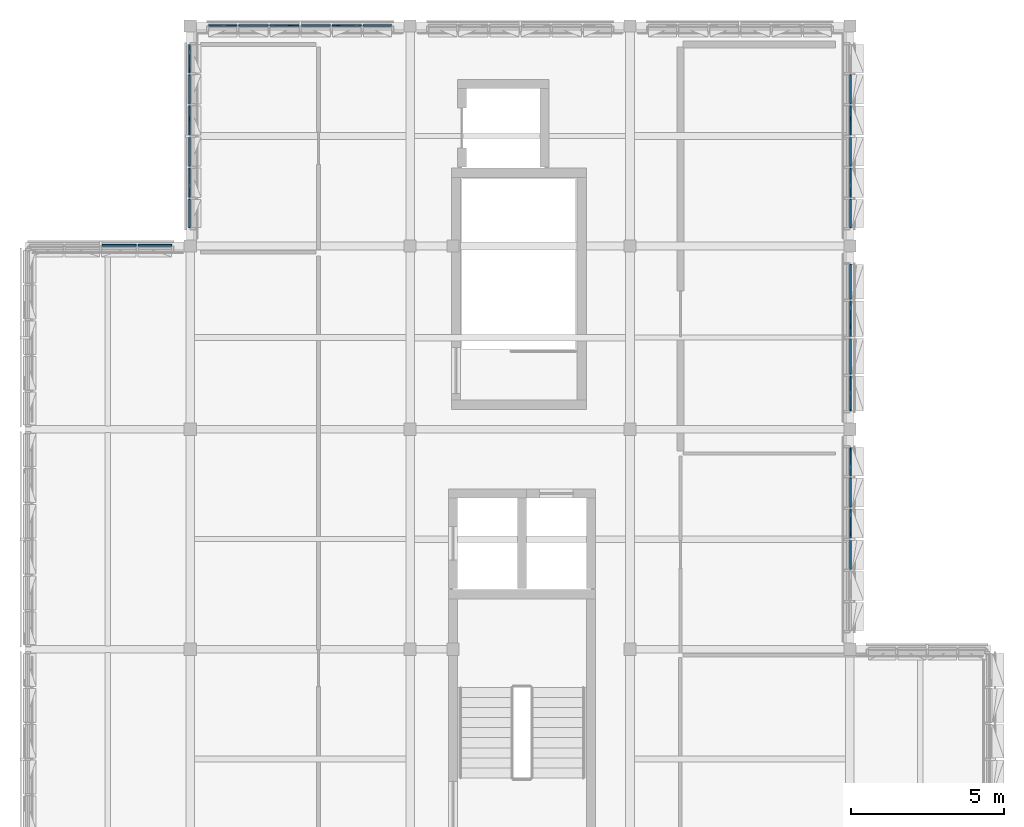
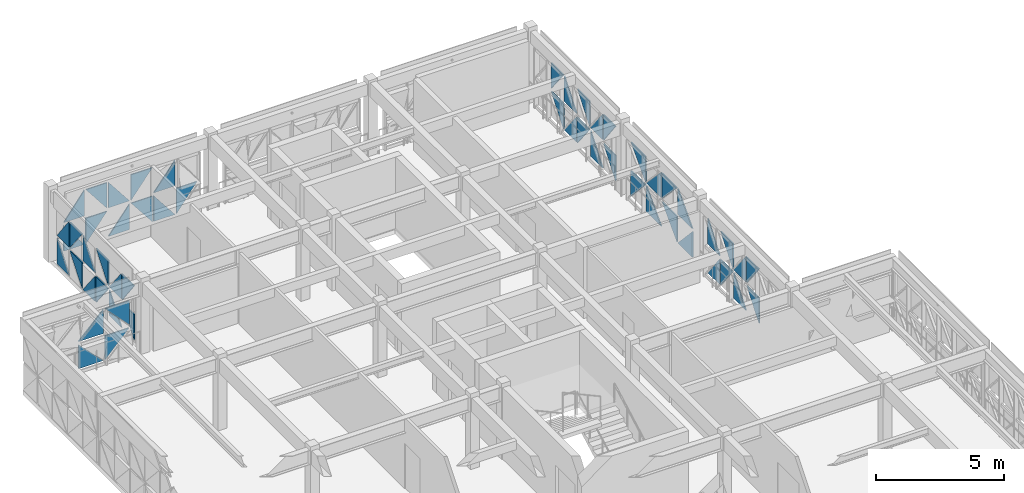
# One storey, part 14 of 25: 53 plates, 6 elements without a shape of their own.
"""IFC4 building model written with IfcOpenShell, lengths in metres."""

from ifc_helpers import new_model, si_unit, direction, frame, origin, place, context, subcontext, project, spatial, polyline, outline, extrude, material, layer, layer_set, type_object, element, aggregate, save


model = new_model("IFC4")

# Units and contexts
model_context = context("Model", 3, precision=1e-05, world=origin(), true_north=direction((0.0, 1.0)))
body_context = subcontext(model_context, "Body", "Model", "MODEL_VIEW")
ifc_project = project(units=[si_unit("LENGTHUNIT", "METRE"), si_unit("AREAUNIT", "SQUARE_METRE"), si_unit("VOLUMEUNIT", "CUBIC_METRE"), si_unit("PLANEANGLEUNIT", "RADIAN"), si_unit("MASSUNIT", "GRAM", prefix="KILO")], contexts=[model_context])

# Site, building, storey
site_placement = place(None, origin())
site = spatial("IfcSite", under=ifc_project, at=site_placement, CompositionType="ELEMENT")
building_placement = place(site_placement, origin())
building = spatial("IfcBuilding", under=site, at=building_placement, Name="Alvorim Cloister Faculty of Sciences", CompositionType="ELEMENT")
storey_placement = place(building_placement, frame((0.0, 0.0, 29.699951171875)))
storey = spatial("IfcBuildingStorey", under=building, at=storey_placement, Name="L08", CompositionType="ELEMENT", Elevation=29.699951171875)

# Curtain wall, plates
ifc_material_1 = material(Name="Aluminium and Low-E Glass Curtain Wall", Category="aluminium")
curtain_wall_type_1 = type_object("IfcCurtainWallType", Name="CW-TRI-4780x2716", PredefinedType="USERDEFINED", material=ifc_material_1)
curtain_wall_1_placement = place(storey_placement, origin())
curtain_wall_1 = element("IfcCurtainWall", 1, at=curtain_wall_1_placement, inside=storey, type_object=curtain_wall_type_1, Name="L08 Diagonal Cassette Curtain Wall CW-0285", ObjectType="UNITISED CURTAIN WALL", PredefinedType="USERDEFINED")
ifc_material_2 = material(Name="Double Low-E Laminated Glass", Category="glass")
ifc_layer = layer(ifc_material_2, 0.0400390625)
ifc_layer_set = layer_set([ifc_layer], Name="Double Low-E Laminated Glass")
plate_type = type_object("IfcPlateType", Name="PN-GLZ-40", PredefinedType="CURTAIN_PANEL", material=ifc_layer_set)
plate_1_placement = place(storey_placement, frame((4.302490234375, 49.22509765625, 0.14013671875), z_axis=(0.0, 0.0, 1.0), x_axis=(1.0, 0.0, 0.0)))
plate_1 = element("IfcPlate", 2, at=plate_1_placement, type_object=plate_type, Name="Diagonal Glazed Triangle TRI-BL", PredefinedType="CURTAIN_PANEL", context=body_context, shape_type="SweptSolid", body=[
    extrude(outline(polyline([(0.0, 0.0), (1.1279296875, 0.0), (0.0, 1.14599609375), (0.0, 0.0)])), frame((0.0, 0.02490234375, 0.0), z_axis=(0.0, -1.0, 0.0), x_axis=(1.0, 0.0, 0.0)), (0.0, 0.0, 1.0), 0.050048828125),
])
plate_2_placement = place(storey_placement, frame((4.302490234375, 49.22509765625, 1.427978515625), z_axis=(0.0, 0.0, 1.0), x_axis=(1.0, 0.0, 0.0)))
plate_2 = element("IfcPlate", 3, at=plate_2_placement, type_object=plate_type, Name="Diagonal Glazed Triangle TRI-BR", PredefinedType="CURTAIN_PANEL", context=body_context, shape_type="SweptSolid", body=[
    extrude(outline(polyline([(0.001953125, 0.0), (1.1298828125, 0.0), (1.1298828125, 1.14599609375), (0.001953125, 0.0)])), frame((0.0, 0.02490234375, 0.0), z_axis=(0.0, -1.0, 0.0), x_axis=(1.0, 0.0, 0.0)), (0.0, 0.0, 1.0), 0.050048828125),
])
plate_3_placement = place(storey_placement, frame((5.49755859375, 49.22509765625, 0.14013671875), z_axis=(0.0, 0.0, 1.0), x_axis=(1.0, 0.0, 0.0)))
plate_3 = element("IfcPlate", 4, at=plate_3_placement, type_object=plate_type, Name="Diagonal Glazed Triangle TRI-TL", PredefinedType="CURTAIN_PANEL", context=body_context, shape_type="SweptSolid", body=[
    extrude(outline(polyline([(1.095458984375, 1.14794921875), (0.0, 1.14794921875), (0.0, 0.001953125), (1.095458984375, 1.14794921875)])), frame((0.0, 0.02490234375, 0.0), z_axis=(0.0, -1.0, 0.0), x_axis=(1.0, 0.0, 0.0)), (0.0, 0.0, 1.0), 0.050048828125),
])
plate_4_placement = place(storey_placement, frame((5.49755859375, 49.22509765625, 1.427978515625), z_axis=(0.0, 0.0, 1.0), x_axis=(1.0, 0.0, 0.0)))
plate_4 = element("IfcPlate", 5, at=plate_4_placement, type_object=plate_type, Name="Diagonal Glazed Triangle TRI-TR", PredefinedType="CURTAIN_PANEL", context=body_context, shape_type="SweptSolid", body=[
    extrude(outline(polyline([(1.097412109375, 0.001953125), (1.097412109375, 1.14794921875), (0.001953125, 1.14794921875), (1.097412109375, 0.001953125)])), frame((0.0, 0.02490234375, 0.0), z_axis=(0.0, -1.0, 0.0), x_axis=(1.0, 0.0, 0.0)), (0.0, 0.0, 1.0), 0.050048828125),
])
aggregate(curtain_wall_1, [plate_1, plate_2, plate_3, plate_4])

curtain_wall_type_2 = type_object("IfcCurtainWallType", Name="CW-TRI-6120x2860", PredefinedType="USERDEFINED", material=ifc_material_1)
curtain_wall_2_placement = place(storey_placement, origin())
curtain_wall_2 = element("IfcCurtainWall", 6, at=curtain_wall_2_placement, inside=storey, type_object=curtain_wall_type_2, Name="L08 Diagonal Cassette Curtain Wall CW-0286", ObjectType="UNITISED CURTAIN WALL", PredefinedType="USERDEFINED")
plate_5_placement = place(storey_placement, frame((7.175048828125, 49.804931640625, 0.14013671875), z_axis=(0.0, 0.0, 1.0), x_axis=(0.0, 1.0, 0.0)))
plate_5 = element("IfcPlate", 7, at=plate_5_placement, type_object=plate_type, Name="Diagonal Glazed Triangle TRI-TL", PredefinedType="CURTAIN_PANEL", context=body_context, shape_type="SweptSolid", body=[
    extrude(outline(polyline([(0.920654296875, 1.219970703125), (0.0, 1.219970703125), (0.0, 0.001953125), (0.920654296875, 1.219970703125)])), frame((0.0, 0.02490234375, 0.0), z_axis=(0.0, -1.0, 0.0), x_axis=(1.0, 0.0, 0.0)), (0.0, 0.0, 1.0), 0.050048828125),
])
plate_6_placement = place(storey_placement, frame((7.175048828125, 49.804931640625, 1.5), z_axis=(0.0, 0.0, 1.0), x_axis=(0.0, 1.0, 0.0)))
plate_6 = element("IfcPlate", 8, at=plate_6_placement, type_object=plate_type, Name="Diagonal Glazed Triangle TRI-TR", PredefinedType="CURTAIN_PANEL", context=body_context, shape_type="SweptSolid", body=[
    extrude(outline(polyline([(0.922607421875, 0.001953125), (0.922607421875, 1.219970703125), (0.001953125, 1.219970703125), (0.922607421875, 0.001953125)])), frame((0.0, 0.02490234375, 0.0), z_axis=(0.0, -1.0, 0.0), x_axis=(1.0, 0.0, 0.0)), (0.0, 0.0, 1.0), 0.050048828125),
])
plate_7_placement = place(storey_placement, frame((7.175048828125, 50.79248046875, 0.14013671875), z_axis=(0.0, 0.0, 1.0), x_axis=(0.0, 1.0, 0.0)))
plate_7 = element("IfcPlate", 9, at=plate_7_placement, type_object=plate_type, Name="Diagonal Glazed Triangle TRI-BR", PredefinedType="CURTAIN_PANEL", context=body_context, shape_type="SweptSolid", body=[
    extrude(outline(polyline([(0.001953125, 0.0), (0.955078125, 0.0), (0.955078125, 1.218017578125), (0.001953125, 0.0)])), frame((0.0, 0.02490234375, 0.0), z_axis=(0.0, -1.0, 0.0), x_axis=(1.0, 0.0, 0.0)), (0.0, 0.0, 1.0), 0.050048828125),
])
plate_8_placement = place(storey_placement, frame((7.175048828125, 50.79248046875, 1.5), z_axis=(0.0, 0.0, 1.0), x_axis=(0.0, 1.0, 0.0)))
plate_8 = element("IfcPlate", 10, at=plate_8_placement, type_object=plate_type, Name="Diagonal Glazed Triangle TRI-BL", PredefinedType="CURTAIN_PANEL", context=body_context, shape_type="SweptSolid", body=[
    extrude(outline(polyline([(0.0, 0.0), (0.953125, 0.0), (0.0, 1.218017578125), (0.0, 0.0)])), frame((0.0, 0.02490234375, 0.0), z_axis=(0.0, -1.0, 0.0), x_axis=(1.0, 0.0, 0.0)), (0.0, 0.0, 1.0), 0.050048828125),
])
plate_9_placement = place(storey_placement, frame((7.175048828125, 51.8125, 0.14013671875), z_axis=(0.0, 0.0, 1.0), x_axis=(0.0, 1.0, 0.0)))
plate_9 = element("IfcPlate", 11, at=plate_9_placement, type_object=plate_type, Name="Diagonal Glazed Triangle TRI-TR", PredefinedType="CURTAIN_PANEL", context=body_context, shape_type="SweptSolid", body=[
    extrude(outline(polyline([(0.955078125, 0.001953125), (0.955078125, 1.219970703125), (0.001953125, 1.219970703125), (0.955078125, 0.001953125)])), frame((0.0, 0.02490234375, 0.0), z_axis=(0.0, -1.0, 0.0), x_axis=(1.0, 0.0, 0.0)), (0.0, 0.0, 1.0), 0.050048828125),
])
plate_10_placement = place(storey_placement, frame((7.175048828125, 51.8125, 1.5), z_axis=(0.0, 0.0, 1.0), x_axis=(0.0, 1.0, 0.0)))
plate_10 = element("IfcPlate", 12, at=plate_10_placement, type_object=plate_type, Name="Diagonal Glazed Triangle TRI-TL", PredefinedType="CURTAIN_PANEL", context=body_context, shape_type="SweptSolid", body=[
    extrude(outline(polyline([(0.953125, 1.219970703125), (0.0, 1.219970703125), (0.0, 0.001953125), (0.953125, 1.219970703125)])), frame((0.0, 0.02490234375, 0.0), z_axis=(0.0, -1.0, 0.0), x_axis=(1.0, 0.0, 0.0)), (0.0, 0.0, 1.0), 0.050048828125),
])
plate_11_placement = place(storey_placement, frame((7.175048828125, 52.83251953125, 0.14013671875), z_axis=(0.0, 0.0, 1.0), x_axis=(0.0, 1.0, 0.0)))
plate_11 = element("IfcPlate", 13, at=plate_11_placement, type_object=plate_type, Name="Diagonal Glazed Triangle TRI-BL", PredefinedType="CURTAIN_PANEL", context=body_context, shape_type="SweptSolid", body=[
    extrude(outline(polyline([(0.0, 0.0), (0.953125, 0.0), (0.0, 1.218017578125), (0.0, 0.0)])), frame((0.0, 0.02490234375, 0.0), z_axis=(0.0, -1.0, 0.0), x_axis=(1.0, 0.0, 0.0)), (0.0, 0.0, 1.0), 0.050048828125),
])
plate_12_placement = place(storey_placement, frame((7.175048828125, 52.83251953125, 1.5), z_axis=(0.0, 0.0, 1.0), x_axis=(0.0, 1.0, 0.0)))
plate_12 = element("IfcPlate", 14, at=plate_12_placement, type_object=plate_type, Name="Diagonal Glazed Triangle TRI-BR", PredefinedType="CURTAIN_PANEL", context=body_context, shape_type="SweptSolid", body=[
    extrude(outline(polyline([(0.001953125, 0.0), (0.955078125, 0.0), (0.955078125, 1.218017578125), (0.001953125, 0.0)])), frame((0.0, 0.02490234375, 0.0), z_axis=(0.0, -1.0, 0.0), x_axis=(1.0, 0.0, 0.0)), (0.0, 0.0, 1.0), 0.050048828125),
])
plate_13_placement = place(storey_placement, frame((7.175048828125, 53.8525390625, 0.14013671875), z_axis=(0.0, 0.0, 1.0), x_axis=(0.0, 1.0, 0.0)))
plate_13 = element("IfcPlate", 15, at=plate_13_placement, type_object=plate_type, Name="Diagonal Glazed Triangle TRI-TL", PredefinedType="CURTAIN_PANEL", context=body_context, shape_type="SweptSolid", body=[
    extrude(outline(polyline([(0.953125, 1.219970703125), (0.0, 1.219970703125), (0.0, 0.001953125), (0.953125, 1.219970703125)])), frame((0.0, 0.02490234375, 0.0), z_axis=(0.0, -1.0, 0.0), x_axis=(1.0, 0.0, 0.0)), (0.0, 0.0, 1.0), 0.050048828125),
])
plate_14_placement = place(storey_placement, frame((7.175048828125, 53.8525390625, 1.5), z_axis=(0.0, 0.0, 1.0), x_axis=(0.0, 1.0, 0.0)))
plate_14 = element("IfcPlate", 16, at=plate_14_placement, type_object=plate_type, Name="Diagonal Glazed Triangle TRI-TR", PredefinedType="CURTAIN_PANEL", context=body_context, shape_type="SweptSolid", body=[
    extrude(outline(polyline([(0.955078125, 0.001953125), (0.955078125, 1.219970703125), (0.001953125, 1.219970703125), (0.955078125, 0.001953125)])), frame((0.0, 0.02490234375, 0.0), z_axis=(0.0, -1.0, 0.0), x_axis=(1.0, 0.0, 0.0)), (0.0, 0.0, 1.0), 0.050048828125),
])
plate_15_placement = place(storey_placement, frame((7.175048828125, 54.87255859375, 0.14013671875), z_axis=(0.0, 0.0, 1.0), x_axis=(0.0, 1.0, 0.0)))
plate_15 = element("IfcPlate", 17, at=plate_15_placement, type_object=plate_type, Name="Diagonal Glazed Triangle TRI-BR", PredefinedType="CURTAIN_PANEL", context=body_context, shape_type="SweptSolid", body=[
    extrude(outline(polyline([(0.001953125, 0.0), (0.922607421875, 0.0), (0.922607421875, 1.218017578125), (0.001953125, 0.0)])), frame((0.0, 0.02490234375, 0.0), z_axis=(0.0, -1.0, 0.0), x_axis=(1.0, 0.0, 0.0)), (0.0, 0.0, 1.0), 0.050048828125),
])
plate_16_placement = place(storey_placement, frame((7.175048828125, 54.87255859375, 1.5), z_axis=(0.0, 0.0, 1.0), x_axis=(0.0, 1.0, 0.0)))
plate_16 = element("IfcPlate", 18, at=plate_16_placement, type_object=plate_type, Name="Diagonal Glazed Triangle TRI-BL", PredefinedType="CURTAIN_PANEL", context=body_context, shape_type="SweptSolid", body=[
    extrude(outline(polyline([(0.0, 0.0), (0.920654296875, 0.0), (0.0, 1.218017578125), (0.0, 0.0)])), frame((0.0, 0.02490234375, 0.0), z_axis=(0.0, -1.0, 0.0), x_axis=(1.0, 0.0, 0.0)), (0.0, 0.0, 1.0), 0.050048828125),
])
aggregate(curtain_wall_2, [plate_5, plate_6, plate_7, plate_8, plate_9, plate_10, plate_11, plate_12, plate_13, plate_14, plate_15, plate_16])

curtain_wall_3_placement = place(storey_placement, origin())
curtain_wall_3 = element("IfcCurtainWall", 19, at=curtain_wall_3_placement, inside=storey, type_object=curtain_wall_type_2, Name="L08 Diagonal Cassette Curtain Wall CW-0287", ObjectType="UNITISED CURTAIN WALL", PredefinedType="USERDEFINED")
plate_17_placement = place(storey_placement, frame((7.804931640625, 56.425048828125, 0.14013671875), z_axis=(0.0, 0.0, 1.0), x_axis=(1.0, 0.0, 0.0)))
plate_17 = element("IfcPlate", 20, at=plate_17_placement, type_object=plate_type, Name="Diagonal Glazed Triangle TRI-BL", PredefinedType="CURTAIN_PANEL", context=body_context, shape_type="SweptSolid", body=[
    extrude(outline(polyline([(0.0, 0.0), (0.920654296875, 0.0), (0.0, 1.218017578125), (0.0, 0.0)])), frame((0.0, 0.02490234375, 0.0), z_axis=(0.0, -1.0, 0.0), x_axis=(1.0, 0.0, 0.0)), (0.0, 0.0, 1.0), 0.050048828125),
])
plate_18_placement = place(storey_placement, frame((7.804931640625, 56.425048828125, 1.5), z_axis=(0.0, 0.0, 1.0), x_axis=(1.0, 0.0, 0.0)))
plate_18 = element("IfcPlate", 21, at=plate_18_placement, type_object=plate_type, Name="Diagonal Glazed Triangle TRI-BR", PredefinedType="CURTAIN_PANEL", context=body_context, shape_type="SweptSolid", body=[
    extrude(outline(polyline([(0.001953125, 0.0), (0.922607421875, 0.0), (0.922607421875, 1.218017578125), (0.001953125, 0.0)])), frame((0.0, 0.02490234375, 0.0), z_axis=(0.0, -1.0, 0.0), x_axis=(1.0, 0.0, 0.0)), (0.0, 0.0, 1.0), 0.050048828125),
])
plate_19_placement = place(storey_placement, frame((8.79248046875, 56.425048828125, 0.14013671875), z_axis=(0.0, 0.0, 1.0), x_axis=(1.0, 0.0, 0.0)))
plate_19 = element("IfcPlate", 22, at=plate_19_placement, type_object=plate_type, Name="Diagonal Glazed Triangle TRI-TL", PredefinedType="CURTAIN_PANEL", context=body_context, shape_type="SweptSolid", body=[
    extrude(outline(polyline([(0.953125, 1.219970703125), (0.0, 1.219970703125), (0.0, 0.001953125), (0.953125, 1.219970703125)])), frame((0.0, 0.02490234375, 0.0), z_axis=(0.0, -1.0, 0.0), x_axis=(1.0, 0.0, 0.0)), (0.0, 0.0, 1.0), 0.050048828125),
])
plate_20_placement = place(storey_placement, frame((8.79248046875, 56.425048828125, 1.5), z_axis=(0.0, 0.0, 1.0), x_axis=(1.0, 0.0, 0.0)))
plate_20 = element("IfcPlate", 23, at=plate_20_placement, type_object=plate_type, Name="Diagonal Glazed Triangle TRI-TR", PredefinedType="CURTAIN_PANEL", context=body_context, shape_type="SweptSolid", body=[
    extrude(outline(polyline([(0.955078125, 0.001953125), (0.955078125, 1.219970703125), (0.001953125, 1.219970703125), (0.955078125, 0.001953125)])), frame((0.0, 0.02490234375, 0.0), z_axis=(0.0, -1.0, 0.0), x_axis=(1.0, 0.0, 0.0)), (0.0, 0.0, 1.0), 0.050048828125),
])
plate_21_placement = place(storey_placement, frame((9.8125, 56.425048828125, 0.14013671875), z_axis=(0.0, 0.0, 1.0), x_axis=(1.0, 0.0, 0.0)))
plate_21 = element("IfcPlate", 24, at=plate_21_placement, type_object=plate_type, Name="Diagonal Glazed Triangle TRI-BR", PredefinedType="CURTAIN_PANEL", context=body_context, shape_type="SweptSolid", body=[
    extrude(outline(polyline([(0.001953125, 0.0), (0.955078125, 0.0), (0.955078125, 1.218017578125), (0.001953125, 0.0)])), frame((0.0, 0.02490234375, 0.0), z_axis=(0.0, -1.0, 0.0), x_axis=(1.0, 0.0, 0.0)), (0.0, 0.0, 1.0), 0.050048828125),
])
plate_22_placement = place(storey_placement, frame((9.8125, 56.425048828125, 1.5), z_axis=(0.0, 0.0, 1.0), x_axis=(1.0, 0.0, 0.0)))
plate_22 = element("IfcPlate", 25, at=plate_22_placement, type_object=plate_type, Name="Diagonal Glazed Triangle TRI-BL", PredefinedType="CURTAIN_PANEL", context=body_context, shape_type="SweptSolid", body=[
    extrude(outline(polyline([(0.0, 0.0), (0.953125, 0.0), (0.0, 1.218017578125), (0.0, 0.0)])), frame((0.0, 0.02490234375, 0.0), z_axis=(0.0, -1.0, 0.0), x_axis=(1.0, 0.0, 0.0)), (0.0, 0.0, 1.0), 0.050048828125),
])
plate_23_placement = place(storey_placement, frame((10.83251953125, 56.425048828125, 0.14013671875), z_axis=(0.0, 0.0, 1.0), x_axis=(1.0, 0.0, 0.0)))
plate_23 = element("IfcPlate", 26, at=plate_23_placement, type_object=plate_type, Name="Diagonal Glazed Triangle TRI-TR", PredefinedType="CURTAIN_PANEL", context=body_context, shape_type="SweptSolid", body=[
    extrude(outline(polyline([(0.955078125, 0.001953125), (0.955078125, 1.219970703125), (0.001953125, 1.219970703125), (0.955078125, 0.001953125)])), frame((0.0, 0.02490234375, 0.0), z_axis=(0.0, -1.0, 0.0), x_axis=(1.0, 0.0, 0.0)), (0.0, 0.0, 1.0), 0.050048828125),
])
plate_24_placement = place(storey_placement, frame((10.83251953125, 56.425048828125, 1.5), z_axis=(0.0, 0.0, 1.0), x_axis=(1.0, 0.0, 0.0)))
plate_24 = element("IfcPlate", 27, at=plate_24_placement, type_object=plate_type, Name="Diagonal Glazed Triangle TRI-TL", PredefinedType="CURTAIN_PANEL", context=body_context, shape_type="SweptSolid", body=[
    extrude(outline(polyline([(0.953125, 1.219970703125), (0.0, 1.219970703125), (0.0, 0.001953125), (0.953125, 1.219970703125)])), frame((0.0, 0.02490234375, 0.0), z_axis=(0.0, -1.0, 0.0), x_axis=(1.0, 0.0, 0.0)), (0.0, 0.0, 1.0), 0.050048828125),
])
plate_25_placement = place(storey_placement, frame((11.8525390625, 56.425048828125, 0.14013671875), z_axis=(0.0, 0.0, 1.0), x_axis=(1.0, 0.0, 0.0)))
plate_25 = element("IfcPlate", 28, at=plate_25_placement, type_object=plate_type, Name="Diagonal Glazed Triangle TRI-BL", PredefinedType="CURTAIN_PANEL", context=body_context, shape_type="SweptSolid", body=[
    extrude(outline(polyline([(0.0, 0.0), (0.953125, 0.0), (0.0, 1.218017578125), (0.0, 0.0)])), frame((0.0, 0.02490234375, 0.0), z_axis=(0.0, -1.0, 0.0), x_axis=(1.0, 0.0, 0.0)), (0.0, 0.0, 1.0), 0.050048828125),
])
plate_26_placement = place(storey_placement, frame((11.8525390625, 56.425048828125, 1.5), z_axis=(0.0, 0.0, 1.0), x_axis=(1.0, 0.0, 0.0)))
plate_26 = element("IfcPlate", 29, at=plate_26_placement, type_object=plate_type, Name="Diagonal Glazed Triangle TRI-BR", PredefinedType="CURTAIN_PANEL", context=body_context, shape_type="SweptSolid", body=[
    extrude(outline(polyline([(0.001953125, 0.0), (0.955078125, 0.0), (0.955078125, 1.218017578125), (0.001953125, 0.0)])), frame((0.0, 0.02490234375, 0.0), z_axis=(0.0, -1.0, 0.0), x_axis=(1.0, 0.0, 0.0)), (0.0, 0.0, 1.0), 0.050048828125),
])
plate_27_placement = place(storey_placement, frame((12.87255859375, 56.425048828125, 0.14013671875), z_axis=(0.0, 0.0, 1.0), x_axis=(1.0, 0.0, 0.0)))
plate_27 = element("IfcPlate", 30, at=plate_27_placement, type_object=plate_type, Name="Diagonal Glazed Triangle TRI-TL", PredefinedType="CURTAIN_PANEL", context=body_context, shape_type="SweptSolid", body=[
    extrude(outline(polyline([(0.920654296875, 1.219970703125), (0.0, 1.219970703125), (0.0, 0.001953125), (0.920654296875, 1.219970703125)])), frame((0.0, 0.02490234375, 0.0), z_axis=(0.0, -1.0, 0.0), x_axis=(1.0, 0.0, 0.0)), (0.0, 0.0, 1.0), 0.050048828125),
])
aggregate(curtain_wall_3, [plate_17, plate_18, plate_19, plate_20, plate_21, plate_22, plate_23, plate_24, plate_25, plate_26, plate_27])

curtain_wall_4_placement = place(storey_placement, origin())
curtain_wall_4 = element("IfcCurtainWall", 31, at=curtain_wall_4_placement, inside=storey, type_object=curtain_wall_type_2, Name="L08 Diagonal Cassette Curtain Wall CW-0290", ObjectType="UNITISED CURTAIN WALL", PredefinedType="USERDEFINED")
plate_28_placement = place(storey_placement, frame((28.824951171875, 49.804931640625, 0.14013671875), z_axis=(0.0, 0.0, 1.0), x_axis=(0.0, 1.0, 0.0)))
plate_28 = element("IfcPlate", 32, at=plate_28_placement, type_object=plate_type, Name="Diagonal Glazed Triangle TRI-TL", PredefinedType="CURTAIN_PANEL", context=body_context, shape_type="SweptSolid", body=[
    extrude(outline(polyline([(0.920654296875, 1.219970703125), (0.0, 1.219970703125), (0.0, 0.001953125), (0.920654296875, 1.219970703125)])), frame((0.0, 0.02490234375, 0.0), z_axis=(0.0, -1.0, 0.0), x_axis=(1.0, 0.0, 0.0)), (0.0, 0.0, 1.0), 0.050048828125),
])
plate_29_placement = place(storey_placement, frame((28.824951171875, 49.804931640625, 1.5), z_axis=(0.0, 0.0, 1.0), x_axis=(0.0, 1.0, 0.0)))
plate_29 = element("IfcPlate", 33, at=plate_29_placement, type_object=plate_type, Name="Diagonal Glazed Triangle TRI-TR", PredefinedType="CURTAIN_PANEL", context=body_context, shape_type="SweptSolid", body=[
    extrude(outline(polyline([(0.922607421875, 0.001953125), (0.922607421875, 1.219970703125), (0.001953125, 1.219970703125), (0.922607421875, 0.001953125)])), frame((0.0, 0.02490234375, 0.0), z_axis=(0.0, -1.0, 0.0), x_axis=(1.0, 0.0, 0.0)), (0.0, 0.0, 1.0), 0.050048828125),
])
plate_30_placement = place(storey_placement, frame((28.824951171875, 50.79248046875, 0.14013671875), z_axis=(0.0, 0.0, 1.0), x_axis=(0.0, 1.0, 0.0)))
plate_30 = element("IfcPlate", 34, at=plate_30_placement, type_object=plate_type, Name="Diagonal Glazed Triangle TRI-BR", PredefinedType="CURTAIN_PANEL", context=body_context, shape_type="SweptSolid", body=[
    extrude(outline(polyline([(0.001953125, 0.0), (0.955078125, 0.0), (0.955078125, 1.218017578125), (0.001953125, 0.0)])), frame((0.0, 0.02490234375, 0.0), z_axis=(0.0, -1.0, 0.0), x_axis=(1.0, 0.0, 0.0)), (0.0, 0.0, 1.0), 0.050048828125),
])
plate_31_placement = place(storey_placement, frame((28.824951171875, 50.79248046875, 1.5), z_axis=(0.0, 0.0, 1.0), x_axis=(0.0, 1.0, 0.0)))
plate_31 = element("IfcPlate", 35, at=plate_31_placement, type_object=plate_type, Name="Diagonal Glazed Triangle TRI-BL", PredefinedType="CURTAIN_PANEL", context=body_context, shape_type="SweptSolid", body=[
    extrude(outline(polyline([(0.0, 0.0), (0.953125, 0.0), (0.0, 1.218017578125), (0.0, 0.0)])), frame((0.0, 0.02490234375, 0.0), z_axis=(0.0, -1.0, 0.0), x_axis=(1.0, 0.0, 0.0)), (0.0, 0.0, 1.0), 0.050048828125),
])
plate_32_placement = place(storey_placement, frame((28.824951171875, 51.8125, 0.14013671875), z_axis=(0.0, 0.0, 1.0), x_axis=(0.0, 1.0, 0.0)))
plate_32 = element("IfcPlate", 36, at=plate_32_placement, type_object=plate_type, Name="Diagonal Glazed Triangle TRI-TR", PredefinedType="CURTAIN_PANEL", context=body_context, shape_type="SweptSolid", body=[
    extrude(outline(polyline([(0.955078125, 0.001953125), (0.955078125, 1.219970703125), (0.001953125, 1.219970703125), (0.955078125, 0.001953125)])), frame((0.0, 0.02490234375, 0.0), z_axis=(0.0, -1.0, 0.0), x_axis=(1.0, 0.0, 0.0)), (0.0, 0.0, 1.0), 0.050048828125),
])
plate_33_placement = place(storey_placement, frame((28.824951171875, 51.8125, 1.5), z_axis=(0.0, 0.0, 1.0), x_axis=(0.0, 1.0, 0.0)))
plate_33 = element("IfcPlate", 37, at=plate_33_placement, type_object=plate_type, Name="Diagonal Glazed Triangle TRI-TL", PredefinedType="CURTAIN_PANEL", context=body_context, shape_type="SweptSolid", body=[
    extrude(outline(polyline([(0.953125, 1.219970703125), (0.0, 1.219970703125), (0.0, 0.001953125), (0.953125, 1.219970703125)])), frame((0.0, 0.02490234375, 0.0), z_axis=(0.0, -1.0, 0.0), x_axis=(1.0, 0.0, 0.0)), (0.0, 0.0, 1.0), 0.050048828125),
])
plate_34_placement = place(storey_placement, frame((28.824951171875, 52.83251953125, 0.14013671875), z_axis=(0.0, 0.0, 1.0), x_axis=(0.0, 1.0, 0.0)))
plate_34 = element("IfcPlate", 38, at=plate_34_placement, type_object=plate_type, Name="Diagonal Glazed Triangle TRI-BL", PredefinedType="CURTAIN_PANEL", context=body_context, shape_type="SweptSolid", body=[
    extrude(outline(polyline([(0.0, 0.0), (0.953125, 0.0), (0.0, 1.218017578125), (0.0, 0.0)])), frame((0.0, 0.02490234375, 0.0), z_axis=(0.0, -1.0, 0.0), x_axis=(1.0, 0.0, 0.0)), (0.0, 0.0, 1.0), 0.050048828125),
])
plate_35_placement = place(storey_placement, frame((28.824951171875, 52.83251953125, 1.5), z_axis=(0.0, 0.0, 1.0), x_axis=(0.0, 1.0, 0.0)))
plate_35 = element("IfcPlate", 39, at=plate_35_placement, type_object=plate_type, Name="Diagonal Glazed Triangle TRI-BR", PredefinedType="CURTAIN_PANEL", context=body_context, shape_type="SweptSolid", body=[
    extrude(outline(polyline([(0.001953125, 0.0), (0.955078125, 0.0), (0.955078125, 1.218017578125), (0.001953125, 0.0)])), frame((0.0, 0.02490234375, 0.0), z_axis=(0.0, -1.0, 0.0), x_axis=(1.0, 0.0, 0.0)), (0.0, 0.0, 1.0), 0.050048828125),
])
plate_36_placement = place(storey_placement, frame((28.824951171875, 53.8525390625, 0.14013671875), z_axis=(0.0, 0.0, 1.0), x_axis=(0.0, 1.0, 0.0)))
plate_36 = element("IfcPlate", 40, at=plate_36_placement, type_object=plate_type, Name="Diagonal Glazed Triangle TRI-TL", PredefinedType="CURTAIN_PANEL", context=body_context, shape_type="SweptSolid", body=[
    extrude(outline(polyline([(0.953125, 1.219970703125), (0.0, 1.219970703125), (0.0, 0.001953125), (0.953125, 1.219970703125)])), frame((0.0, 0.02490234375, 0.0), z_axis=(0.0, -1.0, 0.0), x_axis=(1.0, 0.0, 0.0)), (0.0, 0.0, 1.0), 0.050048828125),
])
plate_37_placement = place(storey_placement, frame((28.824951171875, 53.8525390625, 1.5), z_axis=(0.0, 0.0, 1.0), x_axis=(0.0, 1.0, 0.0)))
plate_37 = element("IfcPlate", 41, at=plate_37_placement, type_object=plate_type, Name="Diagonal Glazed Triangle TRI-TR", PredefinedType="CURTAIN_PANEL", context=body_context, shape_type="SweptSolid", body=[
    extrude(outline(polyline([(0.955078125, 0.001953125), (0.955078125, 1.219970703125), (0.001953125, 1.219970703125), (0.955078125, 0.001953125)])), frame((0.0, 0.02490234375, 0.0), z_axis=(0.0, -1.0, 0.0), x_axis=(1.0, 0.0, 0.0)), (0.0, 0.0, 1.0), 0.050048828125),
])
aggregate(curtain_wall_4, [plate_28, plate_29, plate_30, plate_31, plate_32, plate_33, plate_34, plate_35, plate_36, plate_37])

curtain_wall_type_3 = type_object("IfcCurtainWallType", Name="CW-TRI-4920x2860", PredefinedType="USERDEFINED", material=ifc_material_1)
curtain_wall_5_placement = place(storey_placement, origin())
curtain_wall_5 = element("IfcCurtainWall", 42, at=curtain_wall_5_placement, inside=storey, type_object=curtain_wall_type_3, Name="L08 Diagonal Cassette Curtain Wall CW-0291", ObjectType="UNITISED CURTAIN WALL", PredefinedType="USERDEFINED")
plate_38_placement = place(storey_placement, frame((28.824951171875, 43.804931640625, 0.14013671875), z_axis=(0.0, 0.0, 1.0), x_axis=(0.0, 1.0, 0.0)))
plate_38 = element("IfcPlate", 43, at=plate_38_placement, type_object=plate_type, Name="Diagonal Glazed Triangle TRI-BL", PredefinedType="CURTAIN_PANEL", context=body_context, shape_type="SweptSolid", body=[
    extrude(outline(polyline([(0.0, 0.0), (1.130615234375, 0.0), (0.0, 1.218017578125), (0.0, 0.0)])), frame((0.0, 0.02490234375, 0.0), z_axis=(0.0, -1.0, 0.0), x_axis=(1.0, 0.0, 0.0)), (0.0, 0.0, 1.0), 0.050048828125),
])
plate_39_placement = place(storey_placement, frame((28.824951171875, 43.804931640625, 1.5), z_axis=(0.0, 0.0, 1.0), x_axis=(0.0, 1.0, 0.0)))
plate_39 = element("IfcPlate", 44, at=plate_39_placement, type_object=plate_type, Name="Diagonal Glazed Triangle TRI-BR", PredefinedType="CURTAIN_PANEL", context=body_context, shape_type="SweptSolid", body=[
    extrude(outline(polyline([(0.001953125, 0.0), (1.132568359375, 0.0), (1.132568359375, 1.218017578125), (0.001953125, 0.0)])), frame((0.0, 0.02490234375, 0.0), z_axis=(0.0, -1.0, 0.0), x_axis=(1.0, 0.0, 0.0)), (0.0, 0.0, 1.0), 0.050048828125),
])
plate_40_placement = place(storey_placement, frame((28.824951171875, 45.00244140625, 0.14013671875), z_axis=(0.0, 0.0, 1.0), x_axis=(0.0, 1.0, 0.0)))
plate_40 = element("IfcPlate", 45, at=plate_40_placement, type_object=plate_type, Name="Diagonal Glazed Triangle TRI-TL", PredefinedType="CURTAIN_PANEL", context=body_context, shape_type="SweptSolid", body=[
    extrude(outline(polyline([(1.1630859375, 1.219970703125), (0.0, 1.219970703125), (0.0, 0.001953125), (1.1630859375, 1.219970703125)])), frame((0.0, 0.02490234375, 0.0), z_axis=(0.0, -1.0, 0.0), x_axis=(1.0, 0.0, 0.0)), (0.0, 0.0, 1.0), 0.050048828125),
])
plate_41_placement = place(storey_placement, frame((28.824951171875, 45.00244140625, 1.5), z_axis=(0.0, 0.0, 1.0), x_axis=(0.0, 1.0, 0.0)))
plate_41 = element("IfcPlate", 46, at=plate_41_placement, type_object=plate_type, Name="Diagonal Glazed Triangle TRI-TR", PredefinedType="CURTAIN_PANEL", context=body_context, shape_type="SweptSolid", body=[
    extrude(outline(polyline([(1.1650390625, 0.001953125), (1.1650390625, 1.219970703125), (0.001953125, 1.219970703125), (1.1650390625, 0.001953125)])), frame((0.0, 0.02490234375, 0.0), z_axis=(0.0, -1.0, 0.0), x_axis=(1.0, 0.0, 0.0)), (0.0, 0.0, 1.0), 0.050048828125),
])
plate_42_placement = place(storey_placement, frame((28.824951171875, 46.232421875, 0.14013671875), z_axis=(0.0, 0.0, 1.0), x_axis=(0.0, 1.0, 0.0)))
plate_42 = element("IfcPlate", 47, at=plate_42_placement, type_object=plate_type, Name="Diagonal Glazed Triangle TRI-BR", PredefinedType="CURTAIN_PANEL", context=body_context, shape_type="SweptSolid", body=[
    extrude(outline(polyline([(0.001953125, 0.0), (1.1650390625, 0.0), (1.1650390625, 1.218017578125), (0.001953125, 0.0)])), frame((0.0, 0.02490234375, 0.0), z_axis=(0.0, -1.0, 0.0), x_axis=(1.0, 0.0, 0.0)), (0.0, 0.0, 1.0), 0.050048828125),
])
plate_43_placement = place(storey_placement, frame((28.824951171875, 46.232421875, 1.5), z_axis=(0.0, 0.0, 1.0), x_axis=(0.0, 1.0, 0.0)))
plate_43 = element("IfcPlate", 48, at=plate_43_placement, type_object=plate_type, Name="Diagonal Glazed Triangle TRI-BL", PredefinedType="CURTAIN_PANEL", context=body_context, shape_type="SweptSolid", body=[
    extrude(outline(polyline([(0.0, 0.0), (1.1630859375, 0.0), (0.0, 1.218017578125), (0.0, 0.0)])), frame((0.0, 0.02490234375, 0.0), z_axis=(0.0, -1.0, 0.0), x_axis=(1.0, 0.0, 0.0)), (0.0, 0.0, 1.0), 0.050048828125),
])
plate_44_placement = place(storey_placement, frame((28.824951171875, 47.46240234375, 0.14013671875), z_axis=(0.0, 0.0, 1.0), x_axis=(0.0, 1.0, 0.0)))
plate_44 = element("IfcPlate", 49, at=plate_44_placement, type_object=plate_type, Name="Diagonal Glazed Triangle TRI-TR", PredefinedType="CURTAIN_PANEL", context=body_context, shape_type="SweptSolid", body=[
    extrude(outline(polyline([(1.132568359375, 0.001953125), (1.132568359375, 1.219970703125), (0.001953125, 1.219970703125), (1.132568359375, 0.001953125)])), frame((0.0, 0.02490234375, 0.0), z_axis=(0.0, -1.0, 0.0), x_axis=(1.0, 0.0, 0.0)), (0.0, 0.0, 1.0), 0.050048828125),
])
plate_45_placement = place(storey_placement, frame((28.824951171875, 47.46240234375, 1.5), z_axis=(0.0, 0.0, 1.0), x_axis=(0.0, 1.0, 0.0)))
plate_45 = element("IfcPlate", 50, at=plate_45_placement, type_object=plate_type, Name="Diagonal Glazed Triangle TRI-TL", PredefinedType="CURTAIN_PANEL", context=body_context, shape_type="SweptSolid", body=[
    extrude(outline(polyline([(1.130615234375, 1.219970703125), (0.0, 1.219970703125), (0.0, 0.001953125), (1.130615234375, 1.219970703125)])), frame((0.0, 0.02490234375, 0.0), z_axis=(0.0, -1.0, 0.0), x_axis=(1.0, 0.0, 0.0)), (0.0, 0.0, 1.0), 0.050048828125),
])
aggregate(curtain_wall_5, [plate_38, plate_39, plate_40, plate_41, plate_42, plate_43, plate_44, plate_45])

curtain_wall_6_placement = place(storey_placement, origin())
curtain_wall_6 = element("IfcCurtainWall", 51, at=curtain_wall_6_placement, inside=storey, type_object=curtain_wall_type_2, Name="L08 Diagonal Cassette Curtain Wall CW-0292", ObjectType="UNITISED CURTAIN WALL", PredefinedType="USERDEFINED")
plate_46_placement = place(storey_placement, frame((28.824951171875, 38.612548828125, 0.14013671875), z_axis=(0.0, 0.0, 1.0), x_axis=(0.0, 1.0, 0.0)))
plate_46 = element("IfcPlate", 52, at=plate_46_placement, type_object=plate_type, Name="Diagonal Glazed Triangle TRI-TL", PredefinedType="CURTAIN_PANEL", context=body_context, shape_type="SweptSolid", body=[
    extrude(outline(polyline([(0.953125, 1.219970703125), (0.0, 1.219970703125), (0.0, 0.001953125), (0.953125, 1.219970703125)])), frame((0.0, 0.02490234375, 0.0), z_axis=(0.0, -1.0, 0.0), x_axis=(1.0, 0.0, 0.0)), (0.0, 0.0, 1.0), 0.050048828125),
])
plate_47_placement = place(storey_placement, frame((28.824951171875, 38.612548828125, 1.5), z_axis=(0.0, 0.0, 1.0), x_axis=(0.0, 1.0, 0.0)))
plate_47 = element("IfcPlate", 53, at=plate_47_placement, type_object=plate_type, Name="Diagonal Glazed Triangle TRI-TR", PredefinedType="CURTAIN_PANEL", context=body_context, shape_type="SweptSolid", body=[
    extrude(outline(polyline([(0.955078125, 0.001953125), (0.955078125, 1.219970703125), (0.001953125, 1.219970703125), (0.955078125, 0.001953125)])), frame((0.0, 0.02490234375, 0.0), z_axis=(0.0, -1.0, 0.0), x_axis=(1.0, 0.0, 0.0)), (0.0, 0.0, 1.0), 0.050048828125),
])
plate_48_placement = place(storey_placement, frame((28.824951171875, 39.632568359375, 0.14013671875), z_axis=(0.0, 0.0, 1.0), x_axis=(0.0, 1.0, 0.0)))
plate_48 = element("IfcPlate", 54, at=plate_48_placement, type_object=plate_type, Name="Diagonal Glazed Triangle TRI-BR", PredefinedType="CURTAIN_PANEL", context=body_context, shape_type="SweptSolid", body=[
    extrude(outline(polyline([(0.001953125, 0.0), (0.955078125, 0.0), (0.955078125, 1.218017578125), (0.001953125, 0.0)])), frame((0.0, 0.02490234375, 0.0), z_axis=(0.0, -1.0, 0.0), x_axis=(1.0, 0.0, 0.0)), (0.0, 0.0, 1.0), 0.050048828125),
])
plate_49_placement = place(storey_placement, frame((28.824951171875, 39.632568359375, 1.5), z_axis=(0.0, 0.0, 1.0), x_axis=(0.0, 1.0, 0.0)))
plate_49 = element("IfcPlate", 55, at=plate_49_placement, type_object=plate_type, Name="Diagonal Glazed Triangle TRI-BL", PredefinedType="CURTAIN_PANEL", context=body_context, shape_type="SweptSolid", body=[
    extrude(outline(polyline([(0.0, 0.0), (0.953125, 0.0), (0.0, 1.218017578125), (0.0, 0.0)])), frame((0.0, 0.02490234375, 0.0), z_axis=(0.0, -1.0, 0.0), x_axis=(1.0, 0.0, 0.0)), (0.0, 0.0, 1.0), 0.050048828125),
])
plate_50_placement = place(storey_placement, frame((28.824951171875, 40.652587890625, 0.14013671875), z_axis=(0.0, 0.0, 1.0), x_axis=(0.0, 1.0, 0.0)))
plate_50 = element("IfcPlate", 56, at=plate_50_placement, type_object=plate_type, Name="Diagonal Glazed Triangle TRI-TR", PredefinedType="CURTAIN_PANEL", context=body_context, shape_type="SweptSolid", body=[
    extrude(outline(polyline([(0.955078125, 0.001953125), (0.955078125, 1.219970703125), (0.001953125, 1.219970703125), (0.955078125, 0.001953125)])), frame((0.0, 0.02490234375, 0.0), z_axis=(0.0, -1.0, 0.0), x_axis=(1.0, 0.0, 0.0)), (0.0, 0.0, 1.0), 0.050048828125),
])
plate_51_placement = place(storey_placement, frame((28.824951171875, 40.652587890625, 1.5), z_axis=(0.0, 0.0, 1.0), x_axis=(0.0, 1.0, 0.0)))
plate_51 = element("IfcPlate", 57, at=plate_51_placement, type_object=plate_type, Name="Diagonal Glazed Triangle TRI-TL", PredefinedType="CURTAIN_PANEL", context=body_context, shape_type="SweptSolid", body=[
    extrude(outline(polyline([(0.953125, 1.219970703125), (0.0, 1.219970703125), (0.0, 0.001953125), (0.953125, 1.219970703125)])), frame((0.0, 0.02490234375, 0.0), z_axis=(0.0, -1.0, 0.0), x_axis=(1.0, 0.0, 0.0)), (0.0, 0.0, 1.0), 0.050048828125),
])
plate_52_placement = place(storey_placement, frame((28.824951171875, 41.672607421875, 0.14013671875), z_axis=(0.0, 0.0, 1.0), x_axis=(0.0, 1.0, 0.0)))
plate_52 = element("IfcPlate", 58, at=plate_52_placement, type_object=plate_type, Name="Diagonal Glazed Triangle TRI-BL", PredefinedType="CURTAIN_PANEL", context=body_context, shape_type="SweptSolid", body=[
    extrude(outline(polyline([(0.0, 0.0), (0.920654296875, 0.0), (0.0, 1.218017578125), (0.0, 0.0)])), frame((0.0, 0.02490234375, 0.0), z_axis=(0.0, -1.0, 0.0), x_axis=(1.0, 0.0, 0.0)), (0.0, 0.0, 1.0), 0.050048828125),
])
plate_53_placement = place(storey_placement, frame((28.824951171875, 41.672607421875, 1.5), z_axis=(0.0, 0.0, 1.0), x_axis=(0.0, 1.0, 0.0)))
plate_53 = element("IfcPlate", 59, at=plate_53_placement, type_object=plate_type, Name="Diagonal Glazed Triangle TRI-BR", PredefinedType="CURTAIN_PANEL", context=body_context, shape_type="SweptSolid", body=[
    extrude(outline(polyline([(0.001953125, 0.0), (0.922607421875, 0.0), (0.922607421875, 1.218017578125), (0.001953125, 0.0)])), frame((0.0, 0.02490234375, 0.0), z_axis=(0.0, -1.0, 0.0), x_axis=(1.0, 0.0, 0.0)), (0.0, 0.0, 1.0), 0.050048828125),
])
aggregate(curtain_wall_6, [plate_46, plate_47, plate_48, plate_49, plate_50, plate_51, plate_52, plate_53])

save(model, "model.ifc")
